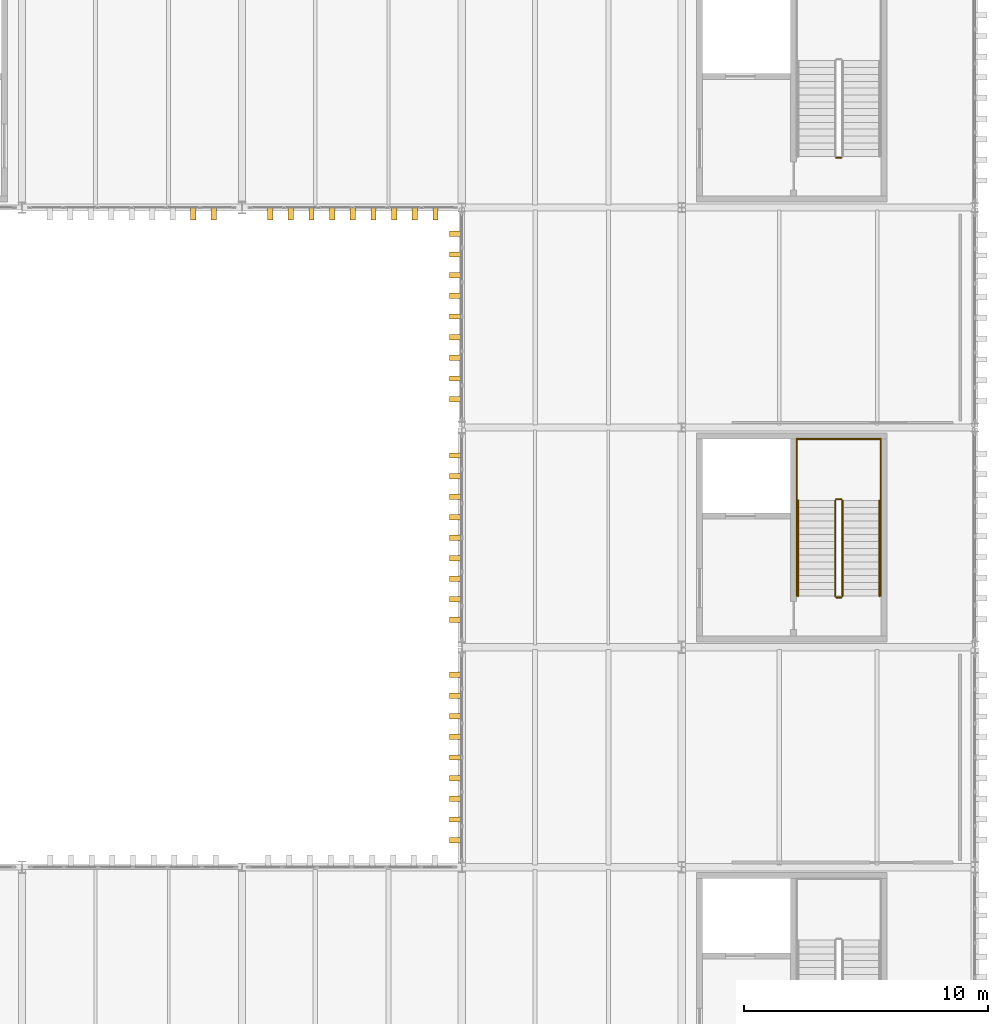
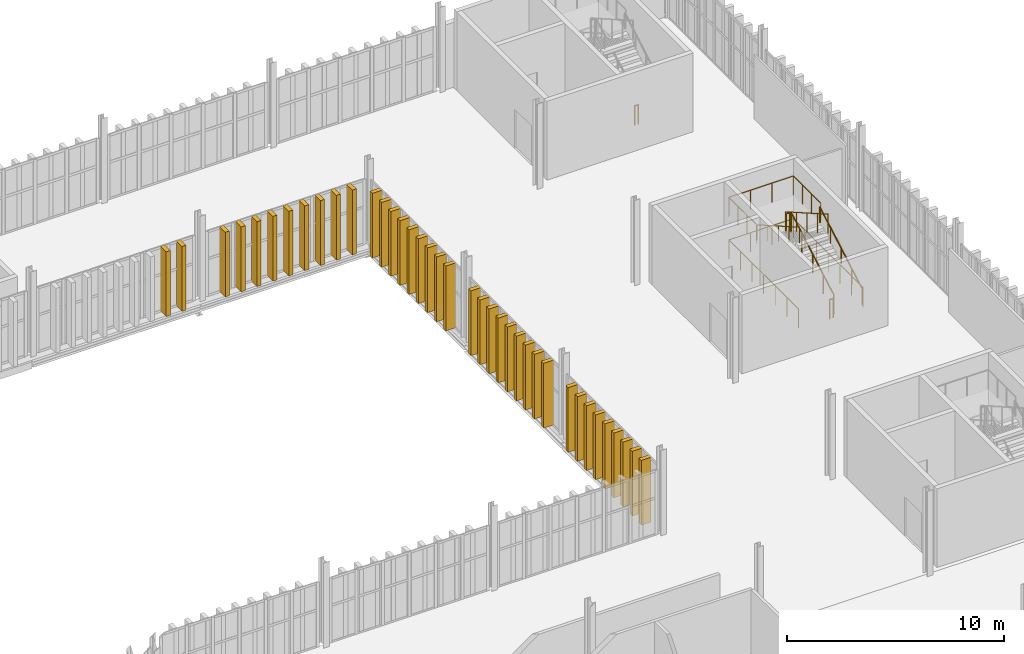
# One storey, part 193 of 196: 38 shading devices, 13 railings.
"""IFC4 building model written with IfcOpenShell, lengths in metres."""

from ifc_helpers import new_model, si_unit, direction, frame, origin, origin_2d, place, context, subcontext, project, spatial, rectangle, circle, extrude, material, type_object, element, save


model = new_model("IFC4")

# Units and contexts
model_context = context("Model", 3, precision=1e-05, world=origin(), true_north=direction((0.0, 1.0)))
body_context = subcontext(model_context, "Body", "Model", "MODEL_VIEW")
ifc_project = project(units=[si_unit("LENGTHUNIT", "METRE"), si_unit("AREAUNIT", "SQUARE_METRE"), si_unit("VOLUMEUNIT", "CUBIC_METRE"), si_unit("PLANEANGLEUNIT", "RADIAN"), si_unit("MASSUNIT", "GRAM", prefix="KILO")], contexts=[model_context])

# Site, building, storey
site_placement = place(None, origin())
site = spatial("IfcSite", under=ifc_project, at=site_placement, CompositionType="ELEMENT")
building_placement = place(site_placement, origin())
building = spatial("IfcBuilding", under=site, at=building_placement, Name="Barlavento Convention Centre", CompositionType="ELEMENT")
storey_placement = place(building_placement, frame((0.0, 0.0, 18.0)))
storey = spatial("IfcBuildingStorey", under=building, at=storey_placement, Name="L03", CompositionType="ELEMENT", Elevation=18.0)

# Railings
ifc_material_1 = material(Name="Stainless steel and laminated glass balustrade", Category="steel")
railing_type_1 = type_object("IfcRailingType", Name="ARC-RAL-BAL-1100", PredefinedType="BALUSTRADE", material=ifc_material_1)
railing_1_placement = place(storey_placement, frame((186.580078125, 74.090087890625, 0.159912109375)))
element("IfcRailing", 1, at=railing_1_placement, inside=storey, type_object=railing_type_1, Name="L03 ST07 stair guard 1", PredefinedType="BALUSTRADE", context=body_context, shape_type="SweptSolid", body=[
    extrude(circle(Radius=0.02392578125, at=origin_2d()), frame((0.0, 0.0, 1.076171875), z_axis=(0.0, 0.868239814368, 0.496144761885), x_axis=(-1.0, 0.0, 0.0)), (0.0, 0.0, 1.0), 4.514892578125),
    extrude(circle(Radius=0.02099609375, at=origin_2d()), origin(), (0.0, 0.0, 1.0), 1.052001953125),
    extrude(circle(Radius=0.02099609375, at=origin_2d()), frame((0.0, 0.97998046875, 0.56005859375)), (0.0, 0.0, 1.0), 1.052001953125),
    extrude(circle(Radius=0.02099609375, at=origin_2d()), frame((0.0, 1.9599609375, 1.1201171875)), (0.0, 0.0, 1.0), 1.052001953125),
    extrude(circle(Radius=0.02099609375, at=origin_2d()), frame((0.0, 2.93994140625, 1.679931640625)), (0.0, 0.0, 1.0), 1.052001953125),
    extrude(circle(Radius=0.02099609375, at=origin_2d()), frame((0.0, 3.919921875, 2.239990234375)), (0.0, 0.0, 1.0), 1.052001953125),
])
railing_2_placement = place(storey_placement, frame((186.530029296875, 78.06005859375, 2.39990234375)))
element("IfcRailing", 2, at=railing_2_placement, inside=storey, type_object=railing_type_1, Name="L03 ST07 stair guard 2", PredefinedType="BALUSTRADE", context=body_context, shape_type="SweptSolid", body=[
    extrude(circle(Radius=0.02392578125, at=origin_2d()), frame((0.0, 0.0, 1.076171875), z_axis=(-1.0, 0.0, 0.0), x_axis=(0.0, -1.0, 0.0)), (0.0, 0.0, 1.0), 0.199951171875),
    extrude(circle(Radius=0.02099609375, at=origin_2d()), origin(), (0.0, 0.0, 1.0), 1.052001953125),
    extrude(circle(Radius=0.02099609375, at=origin_2d()), frame((-0.199951171875, 0.0, 0.0)), (0.0, 0.0, 1.0), 1.052001953125),
])
railing_3_placement = place(storey_placement, frame((186.280029296875, 78.010009765625, 2.56005859375)))
element("IfcRailing", 3, at=railing_3_placement, inside=storey, type_object=railing_type_1, Name="L03 ST07 stair guard 3", PredefinedType="BALUSTRADE", context=body_context, shape_type="SweptSolid", body=[
    extrude(circle(Radius=0.02392578125, at=origin_2d()), frame((0.0, 0.0, 1.076171875), z_axis=(0.0, -0.868239814368, 0.496144761885), x_axis=(1.0, 0.0, 0.0)), (0.0, 0.0, 1.0), 4.514892578125),
    extrude(circle(Radius=0.02099609375, at=origin_2d()), origin(), (0.0, 0.0, 1.0), 1.052001953125),
    extrude(circle(Radius=0.02099609375, at=origin_2d()), frame((0.0, -0.97998046875, 0.56005859375)), (0.0, 0.0, 1.0), 1.052001953125),
    extrude(circle(Radius=0.02099609375, at=origin_2d()), frame((0.0, -1.9599609375, 1.1201171875)), (0.0, 0.0, 1.0), 1.052001953125),
    extrude(circle(Radius=0.02099609375, at=origin_2d()), frame((0.0, -2.93994140625, 1.679931640625)), (0.0, 0.0, 1.0), 1.052001953125),
    extrude(circle(Radius=0.02099609375, at=origin_2d()), frame((0.0, -3.919921875, 2.239990234375)), (0.0, 0.0, 1.0), 1.052001953125),
])
railing_4_placement = place(storey_placement, frame((186.530029296875, 74.0400390625, 0.0)))
element("IfcRailing", 4, at=railing_4_placement, inside=storey, type_object=railing_type_1, Name="L03 ST07 stair guard 4", PredefinedType="BALUSTRADE", context=body_context, shape_type="SweptSolid", body=[
    extrude(circle(Radius=0.02392578125, at=origin_2d()), frame((0.0, 0.0, 1.076171875), z_axis=(-1.0, 0.0, 0.0), x_axis=(0.0, -1.0, 0.0)), (0.0, 0.0, 1.0), 0.199951171875),
    extrude(circle(Radius=0.02099609375, at=origin_2d()), origin(), (0.0, 0.0, 1.0), 1.052001953125),
    extrude(circle(Radius=0.02099609375, at=origin_2d()), frame((-0.199951171875, 0.0, 0.0)), (0.0, 0.0, 1.0), 1.052001953125),
])
for number, where, name in (
    (5, (188.14990234375, 78.010009765625, 2.39990234375), "L03 landing guard GR01"),
    (6, (184.7099609375, 78.010009765625, 2.39990234375), "L03 landing guard GR01"),
):
    element("IfcRailing", number, at=place(storey_placement, frame(where)), inside=storey, type_object=railing_type_1, Name=name, PredefinedType="BALUSTRADE", context=body_context, shape_type="SweptSolid", body=[
        extrude(circle(Radius=0.02392578125, at=origin_2d()), frame((0.0, 0.0, 1.076171875), z_axis=(0.0, 1.0, 0.0), x_axis=(-1.0, 0.0, 0.0)), (0.0, 0.0, 1.0), 2.52001953125),
        extrude(circle(Radius=0.02099609375, at=origin_2d()), origin(), (0.0, 0.0, 1.0), 1.052001953125),
        extrude(circle(Radius=0.02099609375, at=origin_2d()), frame((0.0, 0.840087890625, 0.0)), (0.0, 0.0, 1.0), 1.052001953125),
        extrude(circle(Radius=0.02099609375, at=origin_2d()), frame((0.0, 1.679931640625, 0.0)), (0.0, 0.0, 1.0), 1.052001953125),
        extrude(circle(Radius=0.02099609375, at=origin_2d()), frame((0.0, 2.52001953125, 0.0)), (0.0, 0.0, 1.0), 1.052001953125),
    ])
railing_5_placement = place(storey_placement, frame((188.14990234375, 80.530029296875, 2.39990234375)))
element("IfcRailing", 7, at=railing_5_placement, inside=storey, type_object=railing_type_1, Name="L03 landing guard GR01", PredefinedType="BALUSTRADE", context=body_context, shape_type="SweptSolid", body=[
    extrude(circle(Radius=0.02392578125, at=origin_2d()), frame((0.0, 0.0, 1.076171875), z_axis=(-1.0, 0.0, 0.0), x_axis=(0.0, -1.0, 0.0)), (0.0, 0.0, 1.0), 3.43994140625),
    extrude(circle(Radius=0.02099609375, at=origin_2d()), origin(), (0.0, 0.0, 1.0), 1.052001953125),
    extrude(circle(Radius=0.02099609375, at=origin_2d()), frame((-1.146728515625, 0.0, 0.0)), (0.0, 0.0, 1.0), 1.052001953125),
    extrude(circle(Radius=0.02099609375, at=origin_2d()), frame((-2.293212890625, 0.0, 0.0)), (0.0, 0.0, 1.0), 1.052001953125),
    extrude(circle(Radius=0.02099609375, at=origin_2d()), frame((-3.43994140625, 0.0, 0.0)), (0.0, 0.0, 1.0), 1.052001953125),
])
railing_6_placement = place(storey_placement, frame((188.14990234375, 74.114990234375, 0.0)))
element("IfcRailing", 8, at=railing_6_placement, inside=storey, type_object=railing_type_1, Name="L03 stairwell perimeter guard GR01", PredefinedType="BALUSTRADE", context=body_context, shape_type="SweptSolid", body=[
    extrude(circle(Radius=0.02392578125, at=origin_2d()), frame((0.0, 0.0, 1.076171875), z_axis=(0.0, 1.0, 0.0), x_axis=(-1.0, 0.0, 0.0)), (0.0, 0.0, 1.0), 6.4150390625),
    extrude(circle(Radius=0.02099609375, at=origin_2d()), origin(), (0.0, 0.0, 1.0), 1.052001953125),
    extrude(circle(Radius=0.02099609375, at=origin_2d()), frame((0.0, 1.069091796875, 0.0)), (0.0, 0.0, 1.0), 1.052001953125),
    extrude(circle(Radius=0.02099609375, at=origin_2d()), frame((0.0, 2.138427734375, 0.0)), (0.0, 0.0, 1.0), 1.052001953125),
    extrude(circle(Radius=0.02099609375, at=origin_2d()), frame((0.0, 3.20751953125, 0.0)), (0.0, 0.0, 1.0), 1.052001953125),
    extrude(circle(Radius=0.02099609375, at=origin_2d()), frame((0.0, 4.276611328125, 0.0)), (0.0, 0.0, 1.0), 1.052001953125),
    extrude(circle(Radius=0.02099609375, at=origin_2d()), frame((0.0, 5.345947265625, 0.0)), (0.0, 0.0, 1.0), 1.052001953125),
    extrude(circle(Radius=0.02099609375, at=origin_2d()), frame((0.0, 6.4150390625, 0.0)), (0.0, 0.0, 1.0), 1.052001953125),
])
railing_7_placement = place(storey_placement, frame((188.14990234375, 80.530029296875, 0.0)))
element("IfcRailing", 9, at=railing_7_placement, inside=storey, type_object=railing_type_1, Name="L03 stairwell perimeter guard GR01", PredefinedType="BALUSTRADE", context=body_context, shape_type="SweptSolid", body=[
    extrude(circle(Radius=0.02392578125, at=origin_2d()), frame((0.0, 0.0, 1.076171875), z_axis=(-1.0, 0.0, 0.0), x_axis=(0.0, -1.0, 0.0)), (0.0, 0.0, 1.0), 3.43994140625),
    extrude(circle(Radius=0.02099609375, at=origin_2d()), origin(), (0.0, 0.0, 1.0), 1.052001953125),
    extrude(circle(Radius=0.02099609375, at=origin_2d()), frame((-1.146728515625, 0.0, 0.0)), (0.0, 0.0, 1.0), 1.052001953125),
    extrude(circle(Radius=0.02099609375, at=origin_2d()), frame((-2.293212890625, 0.0, 0.0)), (0.0, 0.0, 1.0), 1.052001953125),
    extrude(circle(Radius=0.02099609375, at=origin_2d()), frame((-3.43994140625, 0.0, 0.0)), (0.0, 0.0, 1.0), 1.052001953125),
])
railing_8_placement = place(storey_placement, frame((184.7099609375, 80.530029296875, 0.0)))
element("IfcRailing", 10, at=railing_8_placement, inside=storey, type_object=railing_type_1, Name="L03 stairwell perimeter guard GR01", PredefinedType="BALUSTRADE", context=body_context, shape_type="SweptSolid", body=[
    extrude(circle(Radius=0.02392578125, at=origin_2d()), frame((0.0, 0.0, 1.076171875), z_axis=(0.0, -1.0, 0.0), x_axis=(1.0, 0.0, 0.0)), (0.0, 0.0, 1.0), 6.4150390625),
    extrude(circle(Radius=0.02099609375, at=origin_2d()), origin(), (0.0, 0.0, 1.0), 1.052001953125),
    extrude(circle(Radius=0.02099609375, at=origin_2d()), frame((0.0, -1.069091796875, 0.0)), (0.0, 0.0, 1.0), 1.052001953125),
    extrude(circle(Radius=0.02099609375, at=origin_2d()), frame((0.0, -2.138427734375, 0.0)), (0.0, 0.0, 1.0), 1.052001953125),
    extrude(circle(Radius=0.02099609375, at=origin_2d()), frame((0.0, -3.20751953125, 0.0)), (0.0, 0.0, 1.0), 1.052001953125),
    extrude(circle(Radius=0.02099609375, at=origin_2d()), frame((0.0, -4.276611328125, 0.0)), (0.0, 0.0, 1.0), 1.052001953125),
    extrude(circle(Radius=0.02099609375, at=origin_2d()), frame((0.0, -5.345947265625, 0.0)), (0.0, 0.0, 1.0), 1.052001953125),
    extrude(circle(Radius=0.02099609375, at=origin_2d()), frame((0.0, -6.4150390625, 0.0)), (0.0, 0.0, 1.0), 1.052001953125),
])
railing_9_placement = place(storey_placement, frame((186.530029296875, 92.0400390625, 0.0)))
element("IfcRailing", 11, at=railing_9_placement, inside=storey, type_object=railing_type_1, Name="L03 ST08 stair guard 4", PredefinedType="BALUSTRADE", context=body_context, shape_type="SweptSolid", body=[
    extrude(circle(Radius=0.02392578125, at=origin_2d()), frame((0.0, 0.0, 1.076171875), z_axis=(-1.0, 0.0, 0.0), x_axis=(0.0, -1.0, 0.0)), (0.0, 0.0, 1.0), 0.199951171875),
    extrude(circle(Radius=0.02099609375, at=origin_2d()), origin(), (0.0, 0.0, 1.0), 1.052001953125),
    extrude(circle(Radius=0.02099609375, at=origin_2d()), frame((-0.199951171875, 0.0, 0.0)), (0.0, 0.0, 1.0), 1.052001953125),
])
ifc_material_2 = material(Name="Brushed stainless steel tubular handrail", Category="steel")
railing_type_2 = type_object("IfcRailingType", Name="ARC-RAL-HR-900", PredefinedType="HANDRAIL", material=ifc_material_2)
railing_10_placement = place(storey_placement, frame((188.10009765625, 74.090087890625, 0.159912109375)))
element("IfcRailing", 12, at=railing_10_placement, inside=storey, type_object=railing_type_2, Name="L03 ST07 stair handrail 1", PredefinedType="HANDRAIL", context=body_context, shape_type="SweptSolid", body=[
    extrude(circle(Radius=0.02392578125, at=origin_2d()), frame((0.0, 0.0, 0.8759765625), z_axis=(0.0, 0.868239814368, 0.496144761885), x_axis=(-1.0, 0.0, 0.0)), (0.0, 0.0, 1.0), 4.514892578125),
    extrude(circle(Radius=0.02099609375, at=origin_2d()), origin(), (0.0, 0.0, 1.0), 0.851806640625),
    extrude(circle(Radius=0.02099609375, at=origin_2d()), frame((0.0, 0.97998046875, 0.56005859375)), (0.0, 0.0, 1.0), 0.851806640625),
    extrude(circle(Radius=0.02099609375, at=origin_2d()), frame((0.0, 1.9599609375, 1.1201171875)), (0.0, 0.0, 1.0), 0.851806640625),
    extrude(circle(Radius=0.02099609375, at=origin_2d()), frame((0.0, 2.93994140625, 1.679931640625)), (0.0, 0.0, 1.0), 0.851806640625),
    extrude(circle(Radius=0.02099609375, at=origin_2d()), frame((0.0, 3.919921875, 2.239990234375)), (0.0, 0.0, 1.0), 0.851806640625),
])
railing_11_placement = place(storey_placement, frame((184.760009765625, 78.010009765625, 2.56005859375)))
element("IfcRailing", 13, at=railing_11_placement, inside=storey, type_object=railing_type_2, Name="L03 ST07 stair handrail 2", PredefinedType="HANDRAIL", context=body_context, shape_type="SweptSolid", body=[
    extrude(circle(Radius=0.02392578125, at=origin_2d()), frame((0.0, 0.0, 0.8759765625), z_axis=(0.0, -0.868239814368, 0.496144761885), x_axis=(1.0, 0.0, 0.0)), (0.0, 0.0, 1.0), 4.514892578125),
    extrude(circle(Radius=0.02099609375, at=origin_2d()), origin(), (0.0, 0.0, 1.0), 0.851806640625),
    extrude(circle(Radius=0.02099609375, at=origin_2d()), frame((0.0, -0.97998046875, 0.56005859375)), (0.0, 0.0, 1.0), 0.851806640625),
    extrude(circle(Radius=0.02099609375, at=origin_2d()), frame((0.0, -1.9599609375, 1.1201171875)), (0.0, 0.0, 1.0), 0.851806640625),
    extrude(circle(Radius=0.02099609375, at=origin_2d()), frame((0.0, -2.93994140625, 1.679931640625)), (0.0, 0.0, 1.0), 0.851806640625),
    extrude(circle(Radius=0.02099609375, at=origin_2d()), frame((0.0, -3.919921875, 2.239990234375)), (0.0, 0.0, 1.0), 0.851806640625),
])

# Shading devices
ifc_material_3 = material(Name="PVDF white extruded aluminium", Category="aluminium")
shading_device_type = type_object("IfcShadingDeviceType", Name="ARC-SHD-FIN-480", PredefinedType="USERDEFINED", material=ifc_material_3)
for number, where, z_axis, x_axis, name in (
    (14, (160.009033203125, 89.760009765625, 0.0), (0.0, 0.0, 1.0), (1.0, 0.0, 0.0), "White vertical solar shading fin VF01"),
    (15, (160.849609375, 89.760009765625, 0.0), (0.0, 0.0, 1.0), (1.0, 0.0, 0.0), "White vertical solar shading fin VF01"),
    (16, (163.156005859375, 89.760009765625, 0.0), (0.0, 0.0, 1.0), (1.0, 0.0, 0.0), "White vertical solar shading fin VF01"),
    (17, (164.001953125, 89.760009765625, 0.0), (0.0, 0.0, 1.0), (1.0, 0.0, 0.0), "White vertical solar shading fin VF01"),
    (18, (164.847900390625, 89.760009765625, 0.0), (0.0, 0.0, 1.0), (1.0, 0.0, 0.0), "White vertical solar shading fin VF01"),
    (19, (165.694091796875, 89.760009765625, 0.0), (0.0, 0.0, 1.0), (1.0, 0.0, 0.0), "White vertical solar shading fin VF01"),
    (20, (166.5400390625, 89.760009765625, 0.0), (0.0, 0.0, 1.0), (1.0, 0.0, 0.0), "White vertical solar shading fin VF01"),
    (21, (167.385986328125, 89.760009765625, 0.0), (0.0, 0.0, 1.0), (1.0, 0.0, 0.0), "White vertical solar shading fin VF01"),
    (22, (168.23193359375, 89.760009765625, 0.0), (0.0, 0.0, 1.0), (1.0, 0.0, 0.0), "White vertical solar shading fin VF01"),
    (23, (169.077880859375, 89.760009765625, 0.0), (0.0, 0.0, 1.0), (1.0, 0.0, 0.0), "White vertical solar shading fin VF01"),
    (24, (169.924072265625, 89.760009765625, 0.0), (0.0, 0.0, 1.0), (1.0, 0.0, 0.0), "White vertical solar shading fin VF01"),
    (25, (170.760009765625, 64.10546875, 0.0), (0.0, 0.0, 1.0), (0.0, 1.0, 0.0), "White vertical solar shading fin VF01"),
    (26, (170.760009765625, 64.950927734375, 0.0), (0.0, 0.0, 1.0), (0.0, 1.0, 0.0), "White vertical solar shading fin VF01"),
    (27, (170.760009765625, 65.79638671875, 0.0), (0.0, 0.0, 1.0), (0.0, 1.0, 0.0), "White vertical solar shading fin VF01"),
    (28, (170.760009765625, 66.64208984375, 0.0), (0.0, 0.0, 1.0), (0.0, 1.0, 0.0), "White vertical solar shading fin VF01"),
    (29, (170.760009765625, 67.487548828125, 0.0), (0.0, 0.0, 1.0), (0.0, 1.0, 0.0), "White vertical solar shading fin VF01"),
    (30, (170.760009765625, 68.3330078125, 0.0), (0.0, 0.0, 1.0), (0.0, 1.0, 0.0), "White vertical solar shading fin VF01"),
    (31, (170.760009765625, 69.178466796875, 0.0), (0.0, 0.0, 1.0), (0.0, 1.0, 0.0), "White vertical solar shading fin VF01"),
    (32, (170.760009765625, 70.02392578125, 0.0), (0.0, 0.0, 1.0), (0.0, 1.0, 0.0), "White vertical solar shading fin VF01"),
    (33, (170.760009765625, 70.869384765625, 0.0), (0.0, 0.0, 1.0), (0.0, 1.0, 0.0), "White vertical solar shading fin VF01"),
    (34, (170.760009765625, 73.12548828125, 0.0), (0.0, 0.0, 1.0), (0.0, 1.0, 0.0), "White vertical solar shading fin VF01"),
    (35, (170.760009765625, 73.966064453125, 0.0), (0.0, 0.0, 1.0), (0.0, 1.0, 0.0), "White vertical solar shading fin VF01"),
    (36, (170.760009765625, 74.806396484375, 0.0), (0.0, 0.0, 1.0), (0.0, 1.0, 0.0), "White vertical solar shading fin VF01"),
    (37, (170.760009765625, 75.64697265625, 0.0), (0.0, 0.0, 1.0), (0.0, 1.0, 0.0), "White vertical solar shading fin VF01"),
    (38, (170.760009765625, 76.487548828125, 0.0), (0.0, 0.0, 1.0), (0.0, 1.0, 0.0), "White vertical solar shading fin VF01"),
    (39, (170.760009765625, 77.327880859375, 0.0), (0.0, 0.0, 1.0), (0.0, 1.0, 0.0), "White vertical solar shading fin VF01"),
    (40, (170.760009765625, 78.16845703125, 0.0), (0.0, 0.0, 1.0), (0.0, 1.0, 0.0), "White vertical solar shading fin VF01"),
    (41, (170.760009765625, 79.009033203125, 0.0), (0.0, 0.0, 1.0), (0.0, 1.0, 0.0), "White vertical solar shading fin VF01"),
    (42, (170.760009765625, 79.849609375, 0.0), (0.0, 0.0, 1.0), (0.0, 1.0, 0.0), "White vertical solar shading fin VF01"),
    (43, (170.760009765625, 82.156005859375, 0.0), (0.0, 0.0, 1.0), (0.0, 1.0, 0.0), "White vertical solar shading fin VF01"),
    (44, (170.760009765625, 83.001953125, 0.0), (0.0, 0.0, 1.0), (0.0, 1.0, 0.0), "White vertical solar shading fin VF01"),
    (45, (170.760009765625, 83.847900390625, 0.0), (0.0, 0.0, 1.0), (0.0, 1.0, 0.0), "White vertical solar shading fin VF01"),
    (46, (170.760009765625, 84.694091796875, 0.0), (0.0, 0.0, 1.0), (0.0, 1.0, 0.0), "White vertical solar shading fin VF01"),
    (47, (170.760009765625, 85.5400390625, 0.0), (0.0, 0.0, 1.0), (0.0, 1.0, 0.0), "White vertical solar shading fin VF01"),
    (48, (170.760009765625, 86.385986328125, 0.0), (0.0, 0.0, 1.0), (0.0, 1.0, 0.0), "White vertical solar shading fin VF01"),
    (49, (170.760009765625, 87.23193359375, 0.0), (0.0, 0.0, 1.0), (0.0, 1.0, 0.0), "White vertical solar shading fin VF01"),
    (50, (170.760009765625, 88.077880859375, 0.0), (0.0, 0.0, 1.0), (0.0, 1.0, 0.0), "White vertical solar shading fin VF01"),
    (51, (170.760009765625, 88.924072265625, 0.0), (0.0, 0.0, 1.0), (0.0, 1.0, 0.0), "White vertical solar shading fin VF01"),
):
    element("IfcShadingDevice", number, at=place(storey_placement, frame(where, z_axis=z_axis, x_axis=x_axis)), inside=storey, type_object=shading_device_type, Name=name, ObjectType="FIN", PredefinedType="USERDEFINED", context=body_context, shape_type="SweptSolid", body=[
        extrude(rectangle(XDim=0.219970703125, YDim=0.52001953125, at=origin_2d()), origin(), (0.0, 0.0, 1.0), 3.64990234375),
    ])

save(model, "model.ifc")
